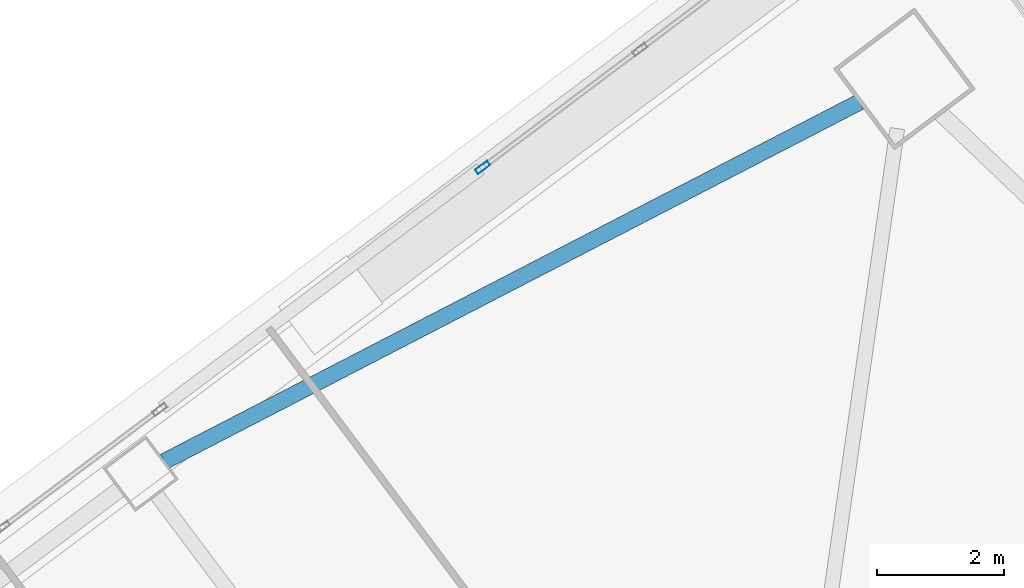
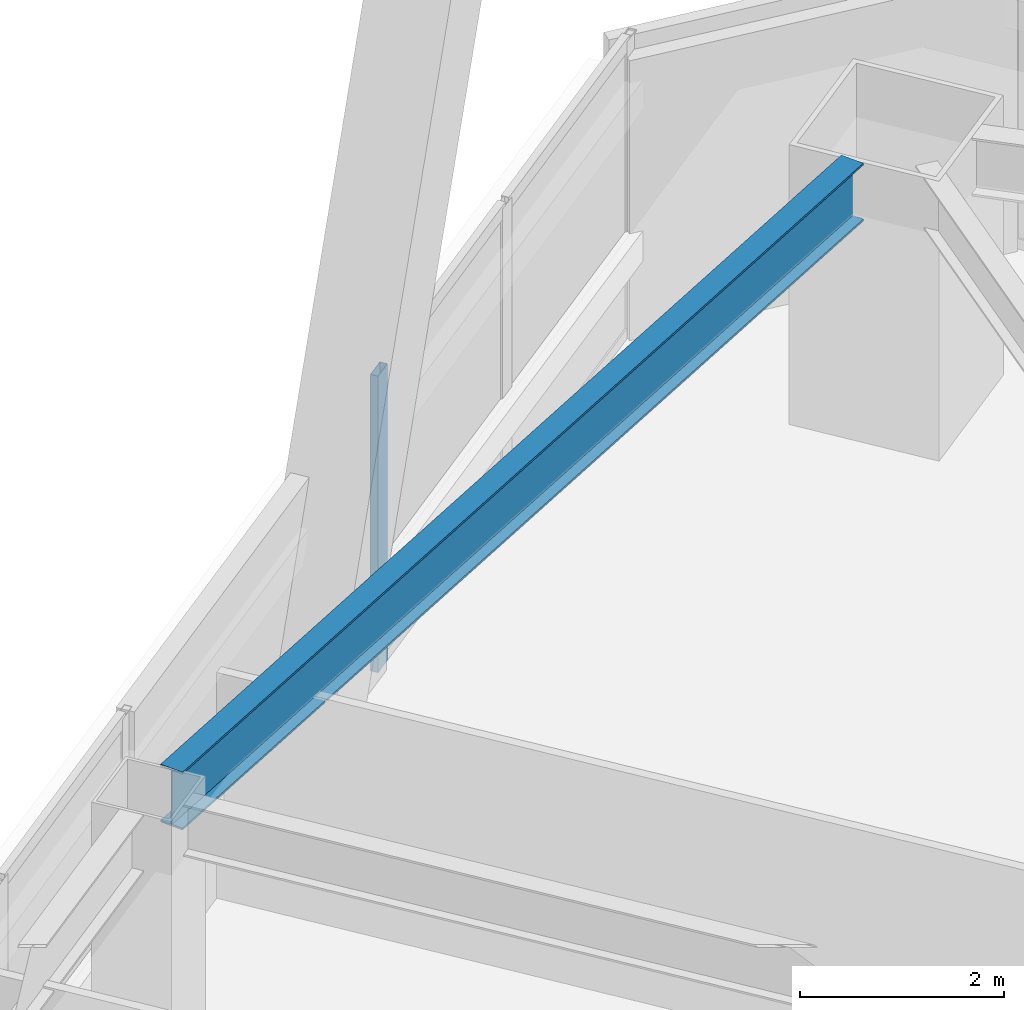
# One storey, part 55 of 75: 1 beam, 1 member, 1 element without a shape of its own.
"""IFC4 building model written with IfcOpenShell, lengths in metres."""

from ifc_helpers import new_model, si_unit, direction, frame, origin, origin_2d, place, context, subcontext, project, spatial, hollow_rectangle, i_section, extrude, material, material_profile, profile_set, type_object, element, aggregate, save


model = new_model("IFC4")

# Units and contexts
model_context = context("Model", 3, precision=1e-05, world=origin(), true_north=direction((0.0, 1.0)))
body_context = subcontext(model_context, "Body", "Model", "MODEL_VIEW")
ifc_project = project(units=[si_unit("LENGTHUNIT", "METRE"), si_unit("AREAUNIT", "SQUARE_METRE"), si_unit("VOLUMEUNIT", "CUBIC_METRE"), si_unit("PLANEANGLEUNIT", "RADIAN"), si_unit("MASSUNIT", "GRAM", prefix="KILO")], contexts=[model_context])

# Site, building, storey
site_placement = place(None, origin())
site = spatial("IfcSite", under=ifc_project, at=site_placement, CompositionType="ELEMENT")
building_placement = place(site_placement, origin())
building = spatial("IfcBuilding", under=site, at=building_placement, Name="Tashvorn Skyway Center", CompositionType="ELEMENT")
storey_placement = place(building_placement, frame((0.0, 0.0, 45.89990234375)))
storey = spatial("IfcBuildingStorey", under=building, at=storey_placement, Name="L11", CompositionType="ELEMENT", Elevation=45.89990234375)

# Beam
ifc_material_1 = material(Name="Steel ASTM A992 Grade 50", Category="steel")
ifc_material_profile_1 = material_profile(ifc_material_1, i_section(OverallWidth=0.256103515625, OverallDepth=0.693115234375, WebThickness=0.014404296875, FlangeThickness=0.023681640625, at=origin_2d()), Name="W27X114")
ifc_profile_set_1 = profile_set([ifc_material_profile_1], Name="Steel ASTM A992 Grade 50")
beam_type = type_object("IfcBeamType", Name="BM-SPANDREL-W27X114", PredefinedType="SPANDREL", material=ifc_profile_set_1)
beam_placement = place(storey_placement, frame((117.0537109375, 57.954833984375, 3.003662109375), z_axis=(-0.888315637339, -0.459233413919, 0.0), x_axis=(0.459233413919, -0.888315637339, 0.0)))
element("IfcBeam", 1, at=beam_placement, inside=storey, type_object=beam_type, Name="Tower 2 L11 Spandrel Beam 07", PredefinedType="SPANDREL", context=body_context, shape_type="SweptSolid", body=[
    extrude(i_section(OverallWidth=0.256103515625, OverallDepth=0.693115234375, WebThickness=0.014404296875, FlangeThickness=0.023681640625, at=origin_2d()), origin(), (0.0, 0.0, 1.0), 12.37255859375),
])

# Curtain wall, member
ifc_material_2 = material(Name="Thermally broken bronze-anodized aluminium 6063-T6", Category="aluminium")
curtain_wall_type = type_object("IfcCurtainWallType", Name="CW-CW-Z1", PredefinedType="NOTDEFINED", material=ifc_material_2)
curtain_wall_placement = place(storey_placement, origin())
curtain_wall = element("IfcCurtainWall", 2, at=curtain_wall_placement, inside=storey, type_object=curtain_wall_type, Name="Tower 2 L11 North Unitised Curtain Wall Glazing Group 3", PredefinedType="NOTDEFINED")
ifc_material_profile_2 = material_profile(ifc_material_2, hollow_rectangle(XDim=0.0849609375, YDim=0.239990234375, WallThickness=0.0048828125, at=origin_2d()), Name="ALU-MULL-85x240")
ifc_profile_set_2 = profile_set([ifc_material_profile_2], Name="Thermally broken bronze-anodized aluminium 6063-T6")
member_type = type_object("IfcMemberType", Name="CWM-CW-Z1", PredefinedType="MULLION", material=ifc_profile_set_2)
member_placement = place(storey_placement, frame((111.09521484375, 56.92138671875, 0.0), z_axis=(0.0, 0.0, 1.0), x_axis=(-0.599997457641, 0.800001906763, 0.0)))
member = element("IfcMember", 3, at=member_placement, type_object=member_type, Name="CW-Z1 mullion 1", PredefinedType="MULLION", context=body_context, shape_type="SweptSolid", body=[
    extrude(hollow_rectangle(XDim=0.0849609375, YDim=0.239990234375, WallThickness=0.0048828125, at=origin_2d()), origin(), (0.0, 0.0, 1.0), 3.550048828125),
])
aggregate(curtain_wall, [member])

save(model, "model.ifc")
